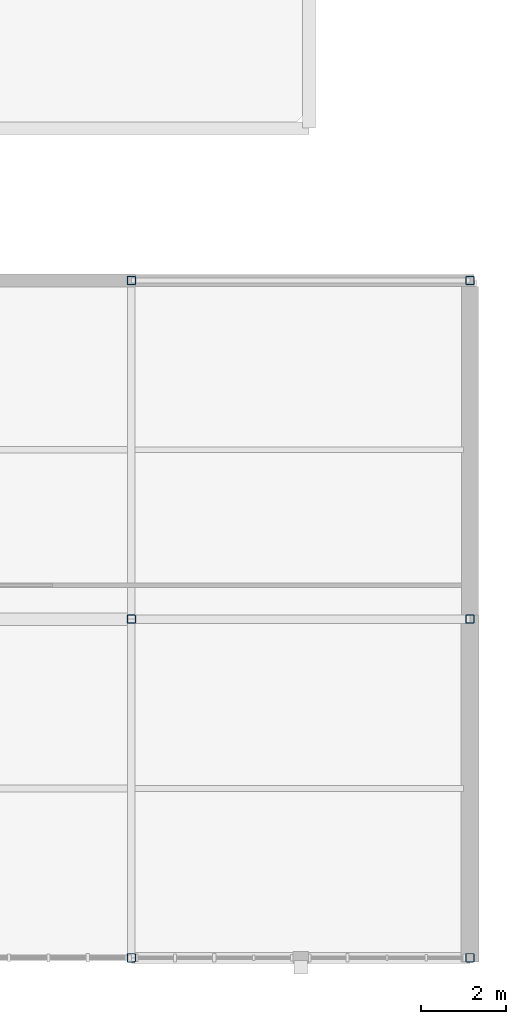
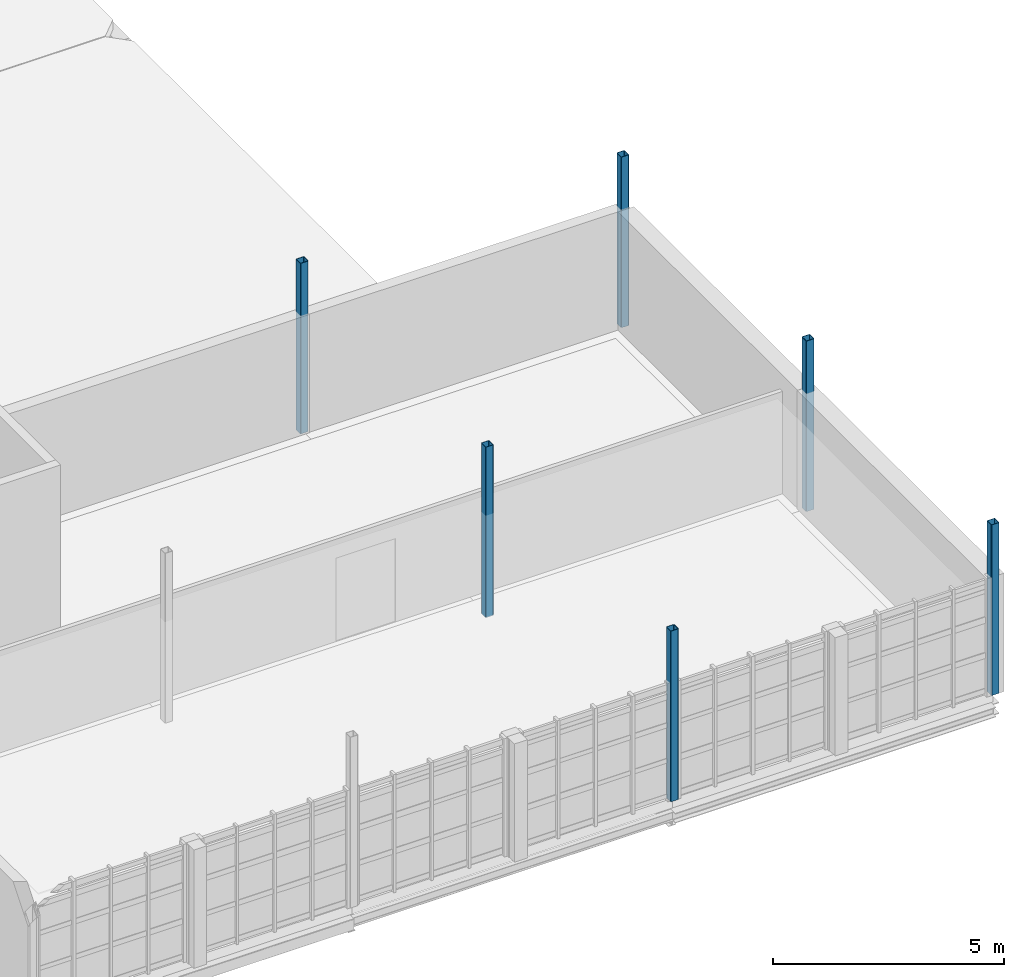
# One storey, part 11 of 125: 6 columns.
"""IFC4 building model written with IfcOpenShell, lengths in metres."""

from ifc_helpers import new_model, si_unit, direction, frame, origin, origin_2d, place, context, subcontext, project, spatial, hollow_rectangle, extrude, material, material_profile, profile_set, type_object, element, save


model = new_model("IFC4")

# Units and contexts
model_context = context("Model", 3, precision=1e-05, world=origin(), true_north=direction((0.0, 1.0)))
body_context = subcontext(model_context, "Body", "Model", "MODEL_VIEW")
ifc_project = project(units=[si_unit("LENGTHUNIT", "METRE"), si_unit("AREAUNIT", "SQUARE_METRE"), si_unit("VOLUMEUNIT", "CUBIC_METRE"), si_unit("PLANEANGLEUNIT", "RADIAN"), si_unit("MASSUNIT", "GRAM", prefix="KILO")], contexts=[model_context])

# Site, building, storey
site_placement = place(None, origin())
site = spatial("IfcSite", under=ifc_project, at=site_placement, CompositionType="ELEMENT")
building_placement = place(site_placement, origin())
building = spatial("IfcBuilding", under=site, at=building_placement, Name="Serraforn Aerial Cableway Station", CompositionType="ELEMENT")
storey_placement = place(building_placement, frame((0.0, 0.0, 4.5)))
storey = spatial("IfcBuildingStorey", under=building, at=storey_placement, Name="L01", CompositionType="ELEMENT", Elevation=4.5)

# Columns
ifc_material = material(Name="Steel S355J2", Category="steel")
ifc_material_profile = material_profile(ifc_material, hollow_rectangle(XDim=0.199951171875, YDim=0.199951171875, WallThickness=0.010009765625, InnerFilletRadius=0.010009765625, OuterFilletRadius=0.02001953125, at=origin_2d()), Name="SHS 200x200x10.0")
ifc_profile_set = profile_set([ifc_material_profile], Name="Steel S355J2")
column_type = type_object("IfcColumnType", Name="COL-ST-SHS200", PredefinedType="COLUMN", material=ifc_profile_set)
for number, where, z_axis, x_axis, name in (
    (1, (160.0, 0.0, 0.0), (0.0, 0.0, 1.0), (1.0, 0.0, 0.0), "Column ES L01 21-A"),
    (2, (160.0, 8.0, 0.0), (0.0, 0.0, 1.0), (1.0, 0.0, 0.0), "Column ES L01 21-B0"),
    (3, (160.0, 16.0, 0.0), (0.0, 0.0, 1.0), (1.0, 0.0, 0.0), "Column ES L01 21-B3"),
    (4, (168.0, 0.0, 0.0), (0.0, 0.0, 1.0), (1.0, 0.0, 0.0), "Column ES L01 22-A"),
    (5, (168.0, 8.0, 0.0), (0.0, 0.0, 1.0), (1.0, 0.0, 0.0), "Column ES L01 22-B0"),
    (6, (168.0, 16.0, 0.0), (0.0, 0.0, 1.0), (1.0, 0.0, 0.0), "Column ES L01 22-B3"),
):
    element("IfcColumn", number, at=place(storey_placement, frame(where, z_axis=z_axis, x_axis=x_axis)), inside=storey, type_object=column_type, Name=name, PredefinedType="COLUMN", context=body_context, shape_type="SweptSolid", body=[
        extrude(hollow_rectangle(XDim=0.199951171875, YDim=0.199951171875, WallThickness=0.010009765625, InnerFilletRadius=0.010009765625, OuterFilletRadius=0.02001953125, at=origin_2d()), origin(), (0.0, 0.0, 1.0), 4.5),
    ])

save(model, "model.ifc")
